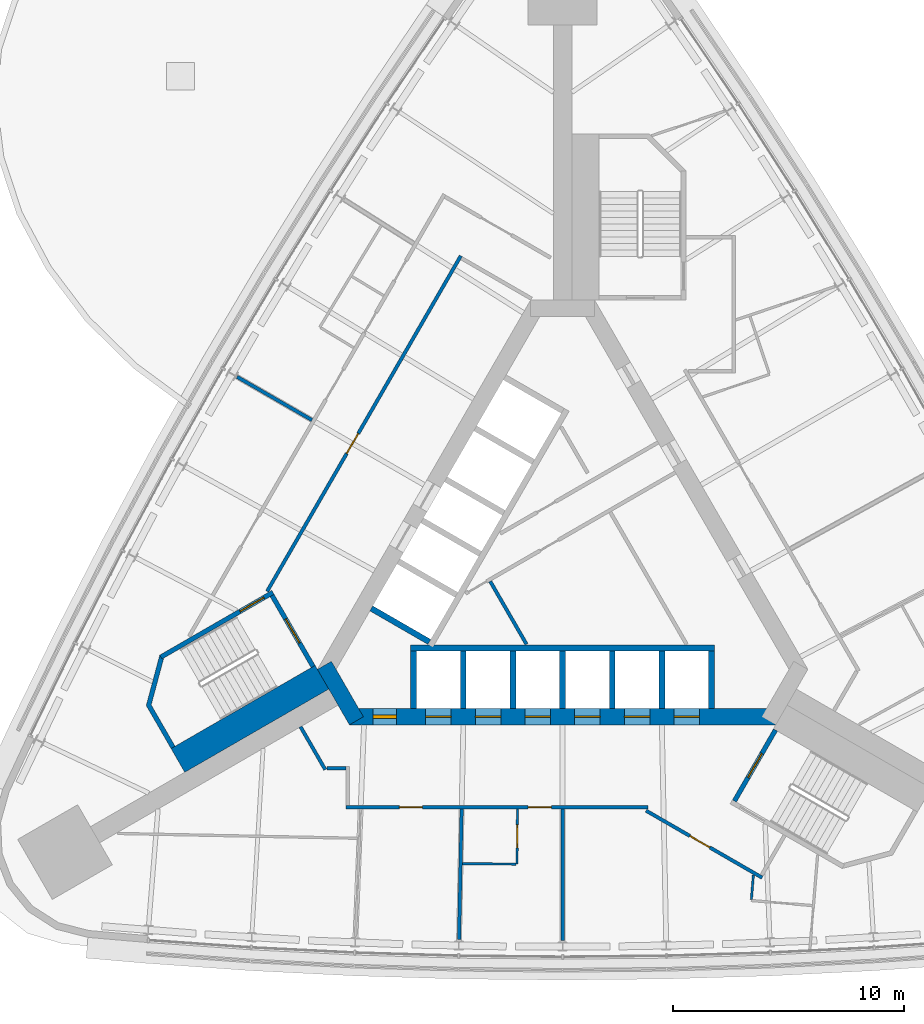
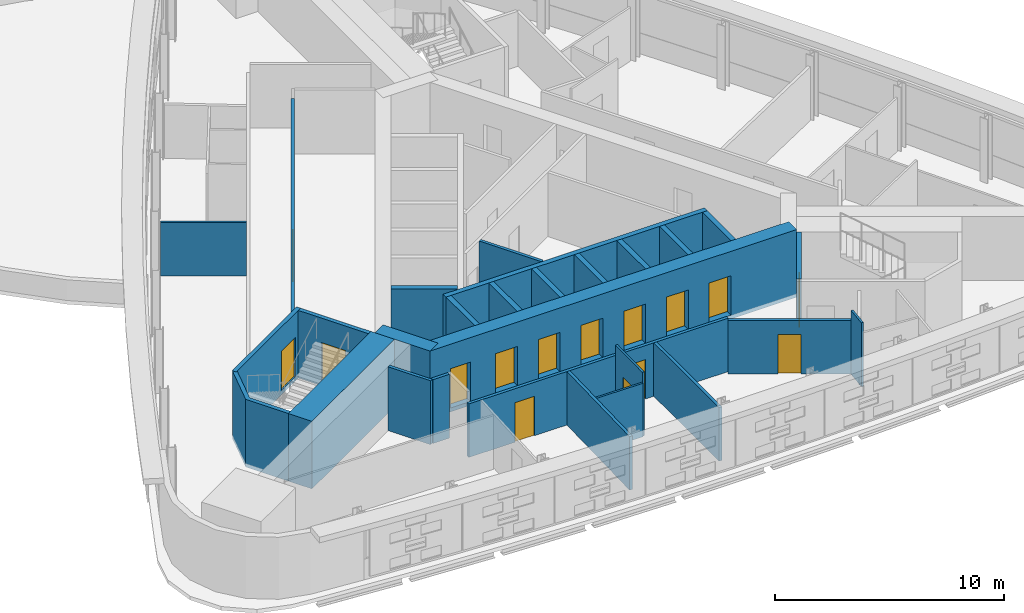
# One storey, part 7 of 12: 28 walls, 15 doors, 15 openings.
"""IFC4 building model written with IfcOpenShell, lengths in metres."""

from ifc_helpers import new_model, si_unit, direction, frame, frame_2d, origin, place, context, subcontext, project, spatial, polyline, rectangle, outline, extrude, material, layer, layer_set, type_object, element, fill, save


model = new_model("IFC4")

# Units and contexts
model_context = context("Model", 3, precision=1e-05, world=origin(), true_north=direction((0.0, 1.0)))
body_context = subcontext(model_context, "Body", "Model", "MODEL_VIEW")
ifc_project = project(units=[si_unit("LENGTHUNIT", "METRE"), si_unit("AREAUNIT", "SQUARE_METRE"), si_unit("VOLUMEUNIT", "CUBIC_METRE"), si_unit("PLANEANGLEUNIT", "RADIAN"), si_unit("MASSUNIT", "GRAM", prefix="KILO")], contexts=[model_context])

# Site, building, storey
site_placement = place(None, origin())
site = spatial("IfcSite", under=ifc_project, at=site_placement, CompositionType="ELEMENT")
building_placement = place(site_placement, origin())
building = spatial("IfcBuilding", under=site, at=building_placement, Name="Noor Cloister Tower", CompositionType="ELEMENT")
storey_placement = place(building_placement, frame((0.0, 0.0, 105.89990234375)))
storey = spatial("IfcBuildingStorey", under=building, at=storey_placement, Name="L27", CompositionType="ELEMENT", Elevation=105.89990234375)

# Wall
ifc_material_1 = material(Name="Concrete C30/37", Category="concrete")
ifc_layer_1 = layer(ifc_material_1, 0.14990234375)
ifc_layer_set_1 = layer_set([ifc_layer_1], Name="Core partition 150 C30/37")
wall_type_1 = type_object("IfcWallType", Name="Core partition 150 C30/37", PredefinedType="PARTITIONING", material=ifc_layer_set_1)
wall_1_placement = place(storey_placement, frame((-1.561279296875, -3.439208984375, 0.0), z_axis=(0.0, 0.0, 1.0), x_axis=(-0.499989077369, 0.866031709877, 0.0)))
element("IfcWall", 1, at=wall_1_placement, inside=storey, type_object=wall_type_1, Name="Core room partition L27 3", PredefinedType="PARTITIONING", context=body_context, shape_type="SweptSolid", body=[
    extrude(rectangle(XDim=3.14404296875, YDim=0.14990234375, at=frame_2d((1.572021484375, 0.0))), origin(), (0.0, 0.0, 1.0), 3.400146484375),
])

# Wall, openings, doors
ifc_material_2 = material(Name="Concrete C80/95", Category="concrete")
ifc_layer_2 = layer(ifc_material_2, 0.699951171875)
ifc_layer_set_2 = layer_set([ifc_layer_2], Name="Core wall 700 C80/95")
wall_type_2 = type_object("IfcWallType", Name="Core wall 700 C80/95", PredefinedType="SHEAR", material=ifc_layer_set_2)
wall_2_placement = place(storey_placement, frame((-9.228759765625, -6.578125, -0.199951171875), z_axis=(0.0, 0.0, 1.0), x_axis=(1.0, 0.0, 0.0)))
wall_2 = element("IfcWall", 2, at=wall_2_placement, inside=storey, type_object=wall_type_2, Name="Core wall L27 1", PredefinedType="SHEAR", context=body_context, shape_type="SweptSolid", body=[
    extrude(rectangle(XDim=18.45751953125, YDim=0.699951171875, at=frame_2d((9.228759765625, 0.0))), origin(), (0.0, 0.0, 1.0), 3.60009765625),
])
opening_1_placement = place(wall_2_placement, frame((3.3037109375, 0.0, 0.199951171875)))
opening_1 = element("IfcOpeningElement", 3, at=opening_1_placement, cuts=wall_2, Name="Opening L27-LR1", PredefinedType="OPENING", context=body_context, shape_type="SweptSolid", body=[
    extrude(rectangle(XDim=1.10009765625, YDim=2.10009765625, at=frame_2d((0.550048828125, 1.050048828125))), frame((0.0, 0.35986328125, 0.0), z_axis=(0.0, -1.0, 0.0), x_axis=(1.0, 0.0, 0.0)), (0.0, 0.0, 1.0), 0.719970703125),
])
opening_2_placement = place(wall_2_placement, frame((5.45361328125, 0.0, 0.199951171875)))
opening_2 = element("IfcOpeningElement", 4, at=opening_2_placement, cuts=wall_2, Name="Opening L27-LR2", PredefinedType="OPENING", context=body_context, shape_type="SweptSolid", body=[
    extrude(rectangle(XDim=1.10009765625, YDim=2.10009765625, at=frame_2d((0.550048828125, 1.050048828125))), frame((0.0, 0.35986328125, 0.0), z_axis=(0.0, -1.0, 0.0), x_axis=(1.0, 0.0, 0.0)), (0.0, 0.0, 1.0), 0.719970703125),
])
opening_3_placement = place(wall_2_placement, frame((7.603759765625, 0.0, 0.199951171875)))
opening_3 = element("IfcOpeningElement", 5, at=opening_3_placement, cuts=wall_2, Name="Opening L27-LR3", PredefinedType="OPENING", context=body_context, shape_type="SweptSolid", body=[
    extrude(rectangle(XDim=1.10009765625, YDim=2.10009765625, at=frame_2d((0.550048828125, 1.050048828125))), frame((0.0, 0.35986328125, 0.0), z_axis=(0.0, -1.0, 0.0), x_axis=(1.0, 0.0, 0.0)), (0.0, 0.0, 1.0), 0.719970703125),
])
opening_4_placement = place(wall_2_placement, frame((9.753662109375, 0.0, 0.199951171875)))
opening_4 = element("IfcOpeningElement", 6, at=opening_4_placement, cuts=wall_2, Name="Opening L27-LR4", PredefinedType="OPENING", context=body_context, shape_type="SweptSolid", body=[
    extrude(rectangle(XDim=1.10009765625, YDim=2.10009765625, at=frame_2d((0.550048828125, 1.050048828125))), frame((0.0, 0.35986328125, 0.0), z_axis=(0.0, -1.0, 0.0), x_axis=(1.0, 0.0, 0.0)), (0.0, 0.0, 1.0), 0.719970703125),
])
opening_5_placement = place(wall_2_placement, frame((11.90380859375, 0.0, 0.199951171875)))
opening_5 = element("IfcOpeningElement", 7, at=opening_5_placement, cuts=wall_2, Name="Opening L27-LR5", PredefinedType="OPENING", context=body_context, shape_type="SweptSolid", body=[
    extrude(rectangle(XDim=1.10009765625, YDim=2.10009765625, at=frame_2d((0.550048828125, 1.050048828125))), frame((0.0, 0.35986328125, 0.0), z_axis=(0.0, -1.0, 0.0), x_axis=(1.0, 0.0, 0.0)), (0.0, 0.0, 1.0), 0.719970703125),
])
opening_6_placement = place(wall_2_placement, frame((14.0537109375, 0.0, 0.199951171875)))
opening_6 = element("IfcOpeningElement", 8, at=opening_6_placement, cuts=wall_2, Name="Opening L27-LR6", PredefinedType="OPENING", context=body_context, shape_type="SweptSolid", body=[
    extrude(rectangle(XDim=1.10009765625, YDim=2.10009765625, at=frame_2d((0.550048828125, 1.050048828125))), frame((0.0, 0.35986328125, 0.0), z_axis=(0.0, -1.0, 0.0), x_axis=(1.0, 0.0, 0.0)), (0.0, 0.0, 1.0), 0.719970703125),
])
opening_7_placement = place(wall_2_placement, frame((1.02880859375, 0.0, 0.199951171875)))
opening_7 = element("IfcOpeningElement", 9, at=opening_7_placement, cuts=wall_2, Name="Opening L27-907", PredefinedType="OPENING", context=body_context, shape_type="SweptSolid", body=[
    extrude(rectangle(XDim=1.0, YDim=2.10009765625, at=frame_2d((0.5, 1.050048828125))), frame((0.0, 0.35986328125, 0.0), z_axis=(0.0, -1.0, 0.0), x_axis=(1.0, 0.0, 0.0)), (0.0, 0.0, 1.0), 0.719970703125),
])
ifc_material_3 = material(Name="Steel", Category="steel")
door_type_1 = type_object("IfcDoorType", Name="Core door 1000 x 2100 FD60", OperationType="SINGLE_SWING_LEFT", PredefinedType="DOOR", material=ifc_material_3)
door_1_placement = place(opening_7_placement, origin())
door_1 = element("IfcDoor", 10, at=door_1_placement, inside=storey, type_object=door_type_1, Name="Core door 7 L27", OperationType="SINGLE_SWING_LEFT", OverallHeight=2.10009765625, OverallWidth=1.0, PredefinedType="DOOR", context=body_context, shape_type="SweptSolid", body=[
    extrude(rectangle(XDim=1.0, YDim=2.10009765625, at=frame_2d((0.5, 1.050048828125))), frame((0.0, 0.074951171875, 0.0), z_axis=(0.0, -1.0, 0.0), x_axis=(1.0, 0.0, 0.0)), (0.0, 0.0, 1.0), 0.14990234375),
])
fill(opening_7, door_1)
ifc_material_4 = material(Name="Stainless steel", Category="steel")
door_type_2 = type_object("IfcDoorType", Name="Lift landing door 1100 x 2100", OperationType="DOUBLE_DOOR_SLIDING", PredefinedType="DOOR", material=ifc_material_4)
door_2_placement = place(opening_1_placement, origin())
door_2 = element("IfcDoor", 11, at=door_2_placement, inside=storey, type_object=door_type_2, Name="Landing door LR1 L27", OperationType="DOUBLE_DOOR_SLIDING", OverallHeight=2.10009765625, OverallWidth=1.10009765625, PredefinedType="DOOR", context=body_context, shape_type="SweptSolid", body=[
    extrude(rectangle(XDim=1.10009765625, YDim=2.10009765625, at=frame_2d((0.550048828125, 1.050048828125))), frame((0.0, 0.02490234375, 0.0), z_axis=(0.0, -1.0, 0.0), x_axis=(1.0, 0.0, 0.0)), (0.0, 0.0, 1.0), 0.050048828125),
])
fill(opening_1, door_2)
door_3_placement = place(opening_2_placement, origin())
door_3 = element("IfcDoor", 12, at=door_3_placement, inside=storey, type_object=door_type_2, Name="Landing door LR2 L27", OperationType="DOUBLE_DOOR_SLIDING", OverallHeight=2.10009765625, OverallWidth=1.10009765625, PredefinedType="DOOR", context=body_context, shape_type="SweptSolid", body=[
    extrude(rectangle(XDim=1.10009765625, YDim=2.10009765625, at=frame_2d((0.550048828125, 1.050048828125))), frame((0.0, 0.02490234375, 0.0), z_axis=(0.0, -1.0, 0.0), x_axis=(1.0, 0.0, 0.0)), (0.0, 0.0, 1.0), 0.050048828125),
])
fill(opening_2, door_3)
door_4_placement = place(opening_3_placement, origin())
door_4 = element("IfcDoor", 13, at=door_4_placement, inside=storey, type_object=door_type_2, Name="Landing door LR3 L27", OperationType="DOUBLE_DOOR_SLIDING", OverallHeight=2.10009765625, OverallWidth=1.10009765625, PredefinedType="DOOR", context=body_context, shape_type="SweptSolid", body=[
    extrude(rectangle(XDim=1.10009765625, YDim=2.10009765625, at=frame_2d((0.550048828125, 1.050048828125))), frame((0.0, 0.02490234375, 0.0), z_axis=(0.0, -1.0, 0.0), x_axis=(1.0, 0.0, 0.0)), (0.0, 0.0, 1.0), 0.050048828125),
])
fill(opening_3, door_4)
door_5_placement = place(opening_4_placement, origin())
door_5 = element("IfcDoor", 14, at=door_5_placement, inside=storey, type_object=door_type_2, Name="Landing door LR4 L27", OperationType="DOUBLE_DOOR_SLIDING", OverallHeight=2.10009765625, OverallWidth=1.10009765625, PredefinedType="DOOR", context=body_context, shape_type="SweptSolid", body=[
    extrude(rectangle(XDim=1.10009765625, YDim=2.10009765625, at=frame_2d((0.550048828125, 1.050048828125))), frame((0.0, 0.02490234375, 0.0), z_axis=(0.0, -1.0, 0.0), x_axis=(1.0, 0.0, 0.0)), (0.0, 0.0, 1.0), 0.050048828125),
])
fill(opening_4, door_5)
door_6_placement = place(opening_5_placement, origin())
door_6 = element("IfcDoor", 15, at=door_6_placement, inside=storey, type_object=door_type_2, Name="Landing door LR5 L27", OperationType="DOUBLE_DOOR_SLIDING", OverallHeight=2.10009765625, OverallWidth=1.10009765625, PredefinedType="DOOR", context=body_context, shape_type="SweptSolid", body=[
    extrude(rectangle(XDim=1.10009765625, YDim=2.10009765625, at=frame_2d((0.550048828125, 1.050048828125))), frame((0.0, 0.02490234375, 0.0), z_axis=(0.0, -1.0, 0.0), x_axis=(1.0, 0.0, 0.0)), (0.0, 0.0, 1.0), 0.050048828125),
])
fill(opening_5, door_6)
door_7_placement = place(opening_6_placement, origin())
door_7 = element("IfcDoor", 16, at=door_7_placement, inside=storey, type_object=door_type_2, Name="Landing door LR6 L27", OperationType="DOUBLE_DOOR_SLIDING", OverallHeight=2.10009765625, OverallWidth=1.10009765625, PredefinedType="DOOR", context=body_context, shape_type="SweptSolid", body=[
    extrude(rectangle(XDim=1.10009765625, YDim=2.10009765625, at=frame_2d((0.550048828125, 1.050048828125))), frame((0.0, 0.02490234375, 0.0), z_axis=(0.0, -1.0, 0.0), x_axis=(1.0, 0.0, 0.0)), (0.0, 0.0, 1.0), 0.050048828125),
])
fill(opening_6, door_7)

# Wall
wall_3_placement = place(storey_placement, frame((-10.311279296875, -4.353271484375, -0.199951171875), z_axis=(0.0, 0.0, 1.0), x_axis=(0.500042739161, -0.866000726912, 0.0)))
element("IfcWall", 17, at=wall_3_placement, inside=storey, type_object=wall_type_2, Name="Core wall L27 6", PredefinedType="SHEAR", context=body_context, shape_type="SweptSolid", body=[
    extrude(rectangle(XDim=2.771240234375, YDim=0.699951171875, at=frame_2d((1.3857421875, 0.0))), origin(), (0.0, 0.0, 1.0), 3.60009765625),
])

# Wall, opening, door
ifc_material_5 = material(Name="Fire-rated gypsum board partition on steel studs, 150 mm", Category="steel")
ifc_layer_3 = layer(ifc_material_5, 0.14990234375)
ifc_layer_set_3 = layer_set([ifc_layer_3], Name="Fire lobby wall 150")
wall_type_3 = type_object("IfcWallType", Name="Fire lobby wall 150", PredefinedType="PARTITIONING", material=ifc_layer_set_3)
wall_4_placement = place(storey_placement, frame((-4.40673828125, 13.373779296875, 0.0), z_axis=(0.0, 0.0, 1.0), x_axis=(-0.499997181693, -0.866027030928, 0.0)))
wall_4 = element("IfcWall", 18, at=wall_4_placement, inside=storey, type_object=wall_type_3, Name="Fire lobby wall 150 L27 002", PredefinedType="PARTITIONING", context=body_context, shape_type="SweptSolid", body=[
    extrude(rectangle(XDim=16.76953125, YDim=0.14990234375, at=frame_2d((8.384765625, 0.0))), origin(), (0.0, 0.0, 1.0), 2.84716796875),
])
opening_8_placement = place(wall_4_placement, frame((8.878662109375, 0.0, 0.0)))
opening_8 = element("IfcOpeningElement", 19, at=opening_8_placement, cuts=wall_4, Name="Opening L27-005", PredefinedType="OPENING", context=body_context, shape_type="SweptSolid", body=[
    extrude(rectangle(XDim=1.0, YDim=2.10009765625, at=frame_2d((0.5, 1.050048828125))), frame((0.0, 0.0849609375, 0.0), z_axis=(0.0, -1.0, 0.0), x_axis=(1.0, 0.0, 0.0)), (0.0, 0.0, 1.0), 0.169921875),
])
ifc_material_6 = material(Name="Timber door leaf with steel frame", Category="steel")
door_type_3 = type_object("IfcDoorType", Name="Fire lobby door 1000", OperationType="NOTDEFINED", PredefinedType="DOOR", material=ifc_material_6)
door_8_placement = place(opening_8_placement, origin())
door_8 = element("IfcDoor", 20, at=door_8_placement, inside=storey, type_object=door_type_3, Name="Fire lobby door 1000 L27-005", OperationType="SINGLE_SWING_RIGHT", OverallHeight=2.10009765625, OverallWidth=1.0, PredefinedType="DOOR", context=body_context, shape_type="SweptSolid", body=[
    extrude(rectangle(XDim=1.0, YDim=2.10009765625, at=frame_2d((0.5, 1.050048828125))), frame((0.0, 0.02490234375, 0.0), z_axis=(0.0, -1.0, 0.0), x_axis=(1.0, 0.0, 0.0)), (0.0, 0.0, 1.0), 0.050048828125),
])
fill(opening_8, door_8)

# Wall, openings, doors
ifc_material_7 = material(Name="Gypsum board partition on steel studs, 150 mm", Category="steel")
ifc_layer_4 = layer(ifc_material_7, 0.14990234375)
ifc_layer_set_4 = layer_set([ifc_layer_4], Name="Flat wall 150")
wall_type_4 = type_object("IfcWallType", Name="Flat wall 150", PredefinedType="PARTITIONING", material=ifc_layer_set_4)
wall_5_placement = place(storey_placement, frame((3.68896484375, -10.503173828125, 0.0), z_axis=(0.0, 0.0, 1.0), x_axis=(-1.0, 0.0, 0.0)))
wall_5 = element("IfcWall", 21, at=wall_5_placement, inside=storey, type_object=wall_type_4, Name="Flat wall 150 L27 004", PredefinedType="PARTITIONING", context=body_context, shape_type="SweptSolid", body=[
    extrude(rectangle(XDim=13.067626953125, YDim=0.14990234375, at=frame_2d((6.53369140625, 0.0))), origin(), (0.0, 0.0, 1.0), 2.84716796875),
])
opening_9_placement = place(wall_5_placement, frame((9.75830078125, 0.0, 0.0)))
opening_9 = element("IfcOpeningElement", 22, at=opening_9_placement, cuts=wall_5, Name="Opening L27-008", PredefinedType="OPENING", context=body_context, shape_type="SweptSolid", body=[
    extrude(rectangle(XDim=1.0, YDim=2.10009765625, at=frame_2d((0.5, 1.050048828125))), frame((0.0, 0.0849609375, 0.0), z_axis=(0.0, -1.0, 0.0), x_axis=(1.0, 0.0, 0.0)), (0.0, 0.0, 1.0), 0.169921875),
])
opening_10_placement = place(wall_5_placement, frame((4.177490234375, 0.0, 0.0)))
opening_10 = element("IfcOpeningElement", 23, at=opening_10_placement, cuts=wall_5, Name="Opening L27-009", PredefinedType="OPENING", context=body_context, shape_type="SweptSolid", body=[
    extrude(rectangle(XDim=1.0, YDim=2.10009765625, at=frame_2d((0.5, 1.050048828125))), frame((0.0, 0.0849609375, 0.0), z_axis=(0.0, -1.0, 0.0), x_axis=(1.0, 0.0, 0.0)), (0.0, 0.0, 1.0), 0.169921875),
])
ifc_material_8 = material(Name="Timber door leaf with steel frame", Category="steel")
door_type_4 = type_object("IfcDoorType", Name="Flat entrance door 1000 FD60S", OperationType="NOTDEFINED", PredefinedType="DOOR", material=ifc_material_8)
door_9_placement = place(opening_9_placement, origin())
door_9 = element("IfcDoor", 24, at=door_9_placement, inside=storey, type_object=door_type_4, Name="Flat entrance door 1000 L27-008", OperationType="SINGLE_SWING_RIGHT", OverallHeight=2.10009765625, OverallWidth=1.0, PredefinedType="DOOR", context=body_context, shape_type="SweptSolid", body=[
    extrude(rectangle(XDim=1.0, YDim=2.10009765625, at=frame_2d((0.5, 1.050048828125))), frame((0.0, 0.02490234375, 0.0), z_axis=(0.0, -1.0, 0.0), x_axis=(1.0, 0.0, 0.0)), (0.0, 0.0, 1.0), 0.050048828125),
])
fill(opening_9, door_9)
door_10_placement = place(opening_10_placement, origin())
door_10 = element("IfcDoor", 25, at=door_10_placement, inside=storey, type_object=door_type_4, Name="Flat entrance door 1000 L27-009", OperationType="SINGLE_SWING_LEFT", OverallHeight=2.10009765625, OverallWidth=1.0, PredefinedType="DOOR", context=body_context, shape_type="SweptSolid", body=[
    extrude(rectangle(XDim=1.0, YDim=2.10009765625, at=frame_2d((0.5, 1.050048828125))), frame((0.0, 0.02490234375, 0.0), z_axis=(0.0, -1.0, 0.0), x_axis=(1.0, 0.0, 0.0)), (0.0, 0.0, 1.0), 0.050048828125),
])
fill(opening_10, door_10)

# Wall, opening, door
wall_6_placement = place(storey_placement, frame((8.64111328125, -13.5458984375, 0.0), z_axis=(0.0, 0.0, 1.0), x_axis=(-0.866042728627, 0.499969991291, 0.0)))
wall_6 = element("IfcWall", 26, at=wall_6_placement, inside=storey, type_object=wall_type_4, Name="Flat wall 150 L27 005", PredefinedType="PARTITIONING", context=body_context, shape_type="SweptSolid", body=[
    extrude(rectangle(XDim=5.805419921875, YDim=0.14990234375, at=frame_2d((2.90283203125, 0.0))), origin(), (0.0, 0.0, 1.0), 2.84716796875),
])
opening_11_placement = place(wall_6_placement, frame((2.6162109375, 0.0, 0.0)))
opening_11 = element("IfcOpeningElement", 27, at=opening_11_placement, cuts=wall_6, Name="Opening L27-010", PredefinedType="OPENING", context=body_context, shape_type="SweptSolid", body=[
    extrude(rectangle(XDim=1.0, YDim=2.10009765625, at=frame_2d((0.5, 1.050048828125))), frame((0.0, 0.0849609375, 0.0), z_axis=(0.0, -1.0, 0.0), x_axis=(1.0, 0.0, 0.0)), (0.0, 0.0, 1.0), 0.169921875),
])
door_11_placement = place(opening_11_placement, origin())
door_11 = element("IfcDoor", 28, at=door_11_placement, inside=storey, type_object=door_type_4, Name="Flat entrance door 1000 L27-010", OperationType="SINGLE_SWING_RIGHT", OverallHeight=2.10009765625, OverallWidth=1.0, PredefinedType="DOOR", context=body_context, shape_type="SweptSolid", body=[
    extrude(rectangle(XDim=1.0, YDim=2.10009765625, at=frame_2d((0.5, 1.050048828125))), frame((0.0, 0.02490234375, 0.0), z_axis=(0.0, -1.0, 0.0), x_axis=(1.0, 0.0, 0.0)), (0.0, 0.0, 1.0), 0.050048828125),
])
fill(opening_11, door_11)

# Walls
wall_7_placement = place(storey_placement, frame((-11.34521484375, -7.01220703125, 0.0), z_axis=(0.0, 0.0, 1.0), x_axis=(0.499998569178, -0.866026229868, 0.0)))
element("IfcWall", 29, at=wall_7_placement, inside=storey, type_object=wall_type_4, Name="Flat wall 150 L27 011", PredefinedType="PARTITIONING", context=body_context, shape_type="SweptSolid", body=[
    extrude(rectangle(XDim=2.14306640625, YDim=0.14990234375, at=frame_2d((1.071533203125, 0.0))), origin(), (0.0, 0.0, 1.0), 3.400146484375),
])
wall_8_placement = place(storey_placement, frame((-10.208740234375, -8.80322265625, 0.0), z_axis=(0.0, 0.0, 1.0), x_axis=(1.0, 0.0, 0.0)))
element("IfcWall", 30, at=wall_8_placement, inside=storey, type_object=wall_type_4, Name="Flat wall 150 L27 015", PredefinedType="PARTITIONING", context=body_context, shape_type="SweptSolid", body=[
    extrude(rectangle(XDim=0.830078125, YDim=0.14990234375, at=frame_2d((0.4150390625, 0.0))), origin(), (0.0, 0.0, 1.0), 3.400146484375),
])
wall_9_placement = place(storey_placement, frame((0.0, -16.2744140625, 0.0), z_axis=(0.0, 0.0, 1.0), x_axis=(0.0, 1.0, 0.0)))
element("IfcWall", 31, at=wall_9_placement, inside=storey, type_object=wall_type_4, Name="Flat wall 150 L27 017", PredefinedType="PARTITIONING", context=body_context, shape_type="SweptSolid", body=[
    extrude(rectangle(XDim=5.6962890625, YDim=0.14990234375, at=frame_2d((2.84814453125, 0.0))), origin(), (0.0, 0.0, 1.0), 2.84716796875),
])
wall_10_placement = place(storey_placement, frame((-4.483642578125, -16.2294921875, 0.0), z_axis=(0.0, 0.0, 1.0), x_axis=(0.020089281754, 0.999798190016, 0.0)))
element("IfcWall", 32, at=wall_10_placement, inside=storey, type_object=wall_type_4, Name="Flat wall 150 L27 018", PredefinedType="PARTITIONING", context=body_context, shape_type="SweptSolid", body=[
    extrude(rectangle(XDim=5.651123046875, YDim=0.14990234375, at=frame_2d((2.82568359375, 0.0))), origin(), (0.0, 0.0, 1.0), 2.84716796875),
])
wall_11_placement = place(storey_placement, frame((-14.093994140625, 8.13720703125, 0.0), z_axis=(0.0, 0.0, 1.0), x_axis=(0.866036909293, -0.499980071345, 0.0)))
element("IfcWall", 33, at=wall_11_placement, inside=storey, type_object=wall_type_4, Name="Flat wall 150 L27 019", PredefinedType="PARTITIONING", context=body_context, shape_type="SweptSolid", body=[
    extrude(rectangle(XDim=3.746337890625, YDim=0.14990234375, at=frame_2d((1.873046875, 0.0))), origin(), (0.0, 0.0, 1.0), 2.84716796875),
])

# Wall, opening, door
ifc_material_9 = material(Name="Gypsum board partition on steel studs, 100 mm", Category="steel")
ifc_layer_5 = layer(ifc_material_9, 0.10009765625)
ifc_layer_set_5 = layer_set([ifc_layer_5], Name="Partition 100")
wall_type_5 = type_object("IfcWallType", Name="Partition 100", PredefinedType="PARTITIONING", material=ifc_layer_set_5)
wall_12_placement = place(storey_placement, frame((-1.9755859375, -12.959228515625, 0.0), z_axis=(0.0, 0.0, 1.0), x_axis=(0.009947205513, 0.999950525327, 0.0)))
wall_12 = element("IfcWall", 34, at=wall_12_placement, inside=storey, type_object=wall_type_5, Name="Partition 100 L27 033", PredefinedType="PARTITIONING", context=body_context, shape_type="SweptSolid", body=[
    extrude(rectangle(XDim=2.380615234375, YDim=0.10009765625, at=frame_2d((1.1904296875, 0.0))), origin(), (0.0, 0.0, 1.0), 3.400146484375),
])
opening_12_placement = place(wall_12_placement, frame((0.699951171875, 0.0, 0.0)))
opening_12 = element("IfcOpeningElement", 35, at=opening_12_placement, cuts=wall_12, Name="Opening L27-022", PredefinedType="OPENING", context=body_context, shape_type="SweptSolid", body=[
    extrude(rectangle(XDim=1.0, YDim=2.10009765625, at=frame_2d((0.5, 1.050048828125))), frame((0.0, 0.06005859375, 0.0), z_axis=(0.0, -1.0, 0.0), x_axis=(1.0, 0.0, 0.0)), (0.0, 0.0, 1.0), 0.1201171875),
])
ifc_material_10 = material(Name="Timber door leaf with steel frame", Category="steel")
door_type_5 = type_object("IfcDoorType", Name="Interior door 1000", OperationType="NOTDEFINED", PredefinedType="DOOR", material=ifc_material_10)
door_12_placement = place(opening_12_placement, origin())
door_12 = element("IfcDoor", 36, at=door_12_placement, inside=storey, type_object=door_type_5, Name="Interior door 1000 L27-022", OperationType="SINGLE_SWING_RIGHT", OverallHeight=2.10009765625, OverallWidth=1.0, PredefinedType="DOOR", context=body_context, shape_type="SweptSolid", body=[
    extrude(rectangle(XDim=1.0, YDim=2.10009765625, at=frame_2d((0.5, 1.050048828125))), frame((0.0, 0.02490234375, 0.0), z_axis=(0.0, -1.0, 0.0), x_axis=(1.0, 0.0, 0.0)), (0.0, 0.0, 1.0), 0.050048828125),
])
fill(opening_12, door_12)

# Walls
wall_13_placement = place(storey_placement, frame((-4.342041015625, -12.935546875, 0.0), z_axis=(0.0, 0.0, 1.0), x_axis=(0.999949877213, -0.010012145693, 0.0)))
element("IfcWall", 37, at=wall_13_placement, inside=storey, type_object=wall_type_5, Name="Partition 100 L27 034", PredefinedType="PARTITIONING", context=body_context, shape_type="SweptSolid", body=[
    extrude(rectangle(XDim=2.31640625, YDim=0.10009765625, at=frame_2d((1.158203125, 0.0))), origin(), (0.0, 0.0, 1.0), 2.84716796875),
])
wall_14_placement = place(storey_placement, frame((8.259033203125, -13.4365234375, 0.0), z_axis=(0.0, 0.0, 1.0), x_axis=(-0.082180892167, -0.99661742959, 0.0)))
element("IfcWall", 38, at=wall_14_placement, inside=storey, type_object=wall_type_5, Name="Partition 100 L27 037", PredefinedType="PARTITIONING", context=body_context, shape_type="SweptSolid", body=[
    extrude(rectangle(XDim=1.0517578125, YDim=0.10009765625, at=frame_2d((0.52587890625, 0.0))), origin(), (0.0, 0.0, 1.0), 3.400146484375),
])
ifc_material_11 = material(Name="Concrete C80/95", Category="concrete")
ifc_layer_6 = layer(ifc_material_11, 0.25)
ifc_layer_set_6 = layer_set([ifc_layer_6], Name="Shaft wall 250 C80/95")
wall_type_6 = type_object("IfcWallType", Name="Shaft wall 250 C80/95", PredefinedType="PARTITIONING", material=ifc_layer_set_6)
for number, where, z_axis, x_axis, name in (
    (39, (-6.449951171875, -6.228271484375, -0.199951171875), (0.0, 0.0, 1.0), (0.0, 1.0, 0.0), "Lift shaft wall L27 S 1"),
    (40, (-4.300048828125, -6.228271484375, -0.199951171875), (0.0, 0.0, 1.0), (0.0, 1.0, 0.0), "Lift shaft wall L27 S 2"),
    (41, (-2.14990234375, -6.228271484375, -0.199951171875), (0.0, 0.0, 1.0), (0.0, 1.0, 0.0), "Lift shaft wall L27 S 3"),
    (42, (0.0, -6.228271484375, -0.199951171875), (0.0, 0.0, 1.0), (0.0, 1.0, 0.0), "Lift shaft wall L27 S 4"),
    (43, (2.14990234375, -6.228271484375, -0.199951171875), (0.0, 0.0, 1.0), (0.0, 1.0, 0.0), "Lift shaft wall L27 S 5"),
    (44, (4.300048828125, -6.228271484375, -0.199951171875), (0.0, 0.0, 1.0), (0.0, 1.0, 0.0), "Lift shaft wall L27 S 6"),
    (45, (6.449951171875, -6.228271484375, -0.199951171875), (0.0, 0.0, 1.0), (0.0, 1.0, 0.0), "Lift shaft wall L27 S 7"),
):
    element("IfcWall", number, at=place(storey_placement, frame(where, z_axis=z_axis, x_axis=x_axis)), inside=storey, type_object=wall_type_6, Name=name, PredefinedType="PARTITIONING", context=body_context, shape_type="SweptSolid", body=[
        extrude(rectangle(XDim=2.5, YDim=0.25, at=frame_2d((1.25, 0.0))), origin(), (0.0, 0.0, 1.0), 3.60009765625),
    ])
wall_15_placement = place(storey_placement, frame((-6.574951171875, -3.603271484375, 0.0), z_axis=(0.0, 0.0, 1.0), x_axis=(1.0, 0.0, 0.0)))
element("IfcWall", 46, at=wall_15_placement, inside=storey, type_object=wall_type_6, Name="Lift shaft back wall L27 S", PredefinedType="PARTITIONING", context=body_context, shape_type="SweptSolid", body=[
    extrude(rectangle(XDim=13.14990234375, YDim=0.25, at=frame_2d((6.574951171875, 0.0))), origin(), (0.0, 0.0, 1.0), 3.400146484375),
])
wall_16_placement = place(storey_placement, frame((-8.28125, -1.88720703125, -0.199951171875), z_axis=(0.0, 0.0, 1.0), x_axis=(0.866032775405, -0.499987231761, 0.0)))
element("IfcWall", 47, at=wall_16_placement, inside=storey, type_object=wall_type_6, Name="Lift shaft wall L27 NW 6", PredefinedType="PARTITIONING", context=body_context, shape_type="SweptSolid", body=[
    extrude(rectangle(XDim=2.89990234375, YDim=0.25, at=frame_2d((1.449951171875, 0.0))), origin(), (0.0, 0.0, 1.0), 3.60009765625),
])
ifc_material_12 = material(Name="Concrete C80/95", Category="concrete")
ifc_layer_7 = layer(ifc_material_12, 1.18603515625)
ifc_layer_set_7 = layer_set([ifc_layer_7], Name="Stair enclosure wall 1186 C80/95")
wall_type_7 = type_object("IfcWallType", Name="Stair enclosure wall 1186 C80/95", PredefinedType="SHEAR", material=ifc_layer_set_7)
wall_17_placement = place(storey_placement, frame((-10.41796875, -4.868408203125, -0.199951171875), z_axis=(0.0, 0.0, 1.0), x_axis=(-0.866018442252, -0.500012057535, 0.0)))
element("IfcWall", 48, at=wall_17_placement, inside=storey, type_object=wall_type_7, Name="Stair enclosure wall ST2 L27 riser side", PredefinedType="SHEAR", context=body_context, shape_type="SweptSolid", body=[
    extrude(rectangle(XDim=7.199951171875, YDim=1.185546875, at=frame_2d((3.60009765625, 0.0))), origin(), (0.0, 0.0, 1.0), 3.60009765625),
])

# Wall, opening, door
ifc_material_13 = material(Name="Concrete C80/95", Category="concrete")
ifc_layer_8 = layer(ifc_material_13, 0.199951171875)
ifc_layer_set_8 = layer_set([ifc_layer_8], Name="Stair enclosure wall 200 C80/95")
wall_type_8 = type_object("IfcWallType", Name="Stair enclosure wall 200 C80/95", PredefinedType="SHEAR", material=ifc_layer_set_8)
wall_18_placement = place(storey_placement, frame((-12.575927734375, -1.33056640625, -0.199951171875), z_axis=(0.0, 0.0, 1.0), x_axis=(0.499970499736, -0.8660424351, 0.0)))
wall_18 = element("IfcWall", 49, at=wall_18_placement, inside=storey, type_object=wall_type_8, Name="Stair enclosure wall ST2 L27 near end", PredefinedType="SHEAR", context=body_context, shape_type="SweptSolid", body=[
    extrude(rectangle(XDim=3.550048828125, YDim=0.199951171875, at=frame_2d((1.77490234375, 0.0))), origin(), (0.0, 0.0, 1.0), 3.60009765625),
])
opening_13_placement = place(wall_18_placement, frame((1.175048828125, 0.0, 0.199951171875)))
opening_13 = element("IfcOpeningElement", 50, at=opening_13_placement, cuts=wall_18, Name="Opening L27-ST2L", PredefinedType="OPENING", context=body_context, shape_type="SweptSolid", body=[
    extrude(rectangle(XDim=1.199951171875, YDim=2.10009765625, at=frame_2d((0.60009765625, 1.050048828125))), frame((0.0, 0.10986328125, 0.0), z_axis=(0.0, -1.0, 0.0), x_axis=(1.0, 0.0, 0.0)), (0.0, 0.0, 1.0), 0.219970703125),
])
ifc_material_14 = material(Name="Steel", Category="steel")
door_type_6 = type_object("IfcDoorType", Name="Stair door 1200 x 2100 FD120", OperationType="SINGLE_SWING_LEFT", PredefinedType="DOOR", material=ifc_material_14)
door_13_placement = place(opening_13_placement, origin())
door_13 = element("IfcDoor", 51, at=door_13_placement, inside=storey, type_object=door_type_6, Name="Stair door ST2 L27", OperationType="SINGLE_SWING_RIGHT", OverallHeight=2.10009765625, OverallWidth=1.199951171875, PredefinedType="DOOR", context=body_context, shape_type="SweptSolid", body=[
    extrude(rectangle(XDim=1.199951171875, YDim=2.10009765625, at=frame_2d((0.60009765625, 1.050048828125))), frame((0.0, 0.02490234375, 0.0), z_axis=(0.0, -1.0, 0.0), x_axis=(1.0, 0.0, 0.0)), (0.0, 0.0, 1.0), 0.050048828125),
])
fill(opening_13, door_13)

wall_19_placement = place(storey_placement, frame((-12.539306640625, -1.194091796875, -0.199951171875), z_axis=(0.0, 0.0, 1.0), x_axis=(-0.866045472092, -0.499965239061, 0.0)))
wall_19 = element("IfcWall", 52, at=wall_19_placement, inside=storey, type_object=wall_type_8, Name="Stair enclosure wall ST2 L27 outer side", PredefinedType="SHEAR", context=body_context, shape_type="SweptSolid", body=[
    extrude(rectangle(XDim=5.60009765625, YDim=0.199951171875, at=frame_2d((2.800048828125, 0.0))), origin(), (0.0, 0.0, 1.0), 3.60009765625),
])
opening_14_placement = place(wall_19_placement, frame((0.449951171875, 0.0, 0.199951171875)))
opening_14 = element("IfcOpeningElement", 53, at=opening_14_placement, cuts=wall_19, Name="Opening L27-ST2C", PredefinedType="OPENING", context=body_context, shape_type="SweptSolid", body=[
    extrude(rectangle(XDim=1.199951171875, YDim=2.10009765625, at=frame_2d((0.60009765625, 1.050048828125))), frame((0.0, 0.10986328125, 0.0), z_axis=(0.0, -1.0, 0.0), x_axis=(1.0, 0.0, 0.0)), (0.0, 0.0, 1.0), 0.219970703125),
])
door_14_placement = place(opening_14_placement, origin())
door_14 = element("IfcDoor", 54, at=door_14_placement, inside=storey, type_object=door_type_6, Name="Stair door ST2 L27", OperationType="SINGLE_SWING_LEFT", OverallHeight=2.10009765625, OverallWidth=1.199951171875, PredefinedType="DOOR", context=body_context, shape_type="SweptSolid", body=[
    extrude(rectangle(XDim=1.199951171875, YDim=2.10009765625, at=frame_2d((0.60009765625, 1.050048828125))), frame((0.0, 0.02490234375, 0.0), z_axis=(0.0, -1.0, 0.0), x_axis=(1.0, 0.0, 0.0)), (0.0, 0.0, 1.0), 0.050048828125),
])
fill(opening_14, door_14)

wall_20_placement = place(storey_placement, frame((7.440185546875, -10.225830078125, -0.199951171875), z_axis=(0.0, 0.0, 1.0), x_axis=(0.500022077904, 0.866012656725, 0.0)))
wall_20 = element("IfcWall", 55, at=wall_20_placement, inside=storey, type_object=wall_type_8, Name="Stair enclosure wall ST3 L27 near end", PredefinedType="SHEAR", context=body_context, shape_type="SweptSolid", body=[
    extrude(rectangle(XDim=3.550048828125, YDim=0.199951171875, at=frame_2d((1.77490234375, 0.0))), origin(), (0.0, 0.0, 1.0), 3.60009765625),
])
opening_15_placement = place(wall_20_placement, frame((1.175048828125, 0.0, 0.199951171875)))
opening_15 = element("IfcOpeningElement", 56, at=opening_15_placement, cuts=wall_20, Name="Opening L27-ST3L", PredefinedType="OPENING", context=body_context, shape_type="SweptSolid", body=[
    extrude(rectangle(XDim=1.199951171875, YDim=2.10009765625, at=frame_2d((0.60009765625, 1.050048828125))), frame((0.0, 0.10986328125, 0.0), z_axis=(0.0, -1.0, 0.0), x_axis=(1.0, 0.0, 0.0)), (0.0, 0.0, 1.0), 0.219970703125),
])
door_15_placement = place(opening_15_placement, origin())
door_15 = element("IfcDoor", 57, at=door_15_placement, inside=storey, type_object=door_type_6, Name="Stair door ST3 L27", OperationType="SINGLE_SWING_RIGHT", OverallHeight=2.10009765625, OverallWidth=1.199951171875, PredefinedType="DOOR", context=body_context, shape_type="SweptSolid", body=[
    extrude(rectangle(XDim=1.199951171875, YDim=2.10009765625, at=frame_2d((0.60009765625, 1.050048828125))), frame((0.0, 0.02490234375, 0.0), z_axis=(0.0, -1.0, 0.0), x_axis=(1.0, 0.0, 0.0)), (0.0, 0.0, 1.0), 0.050048828125),
])
fill(opening_15, door_15)

# Wall
ifc_material_15 = material(Name="Concrete C80/95", Category="concrete")
wall_type_9 = type_object("IfcWallType", Name="Stair far end wall C80/95", PredefinedType="SHEAR", material=ifc_material_15)
wall_21_placement = place(storey_placement, frame((0.0, 0.0, -0.199951171875)))
element("IfcWall", 58, at=wall_21_placement, inside=storey, type_object=wall_type_9, Name="Stair enclosure wall ST2 L27 far end", PredefinedType="SHEAR", context=body_context, shape_type="SweptSolid", body=[
    extrude(outline(polyline([(-17.439208984375, -3.907470703125), (-18.024658203125, -6.093017578125), (-16.94970703125, -7.955078125), (-16.776611328125, -7.85498046875), (-17.81005859375, -6.064697265625), (-17.267333984375, -4.039306640625), (-17.339111328125, -4.08056640625), (-17.339111328125, -4.08056640625), (-17.339111328125, -4.08056640625), (-17.339111328125, -4.08056640625), (-17.339111328125, -4.08056640625), (-17.339111328125, -4.08056640625), (-17.339111328125, -4.08056640625), (-17.339111328125, -4.08056640625), (-17.339111328125, -4.08056640625), (-17.339111328125, -4.08056640625), (-17.339111328125, -4.08056640625), (-17.339111328125, -4.08056640625), (-17.339111328125, -4.08056640625), (-17.339111328125, -4.08056640625), (-17.339111328125, -4.08056640625), (-17.339111328125, -4.08056640625), (-17.339111328125, -4.08056640625), (-17.439208984375, -3.907470703125)])), origin(), (0.0, 0.0, 1.0), 3.60009765625),
])

save(model, "model.ifc")
